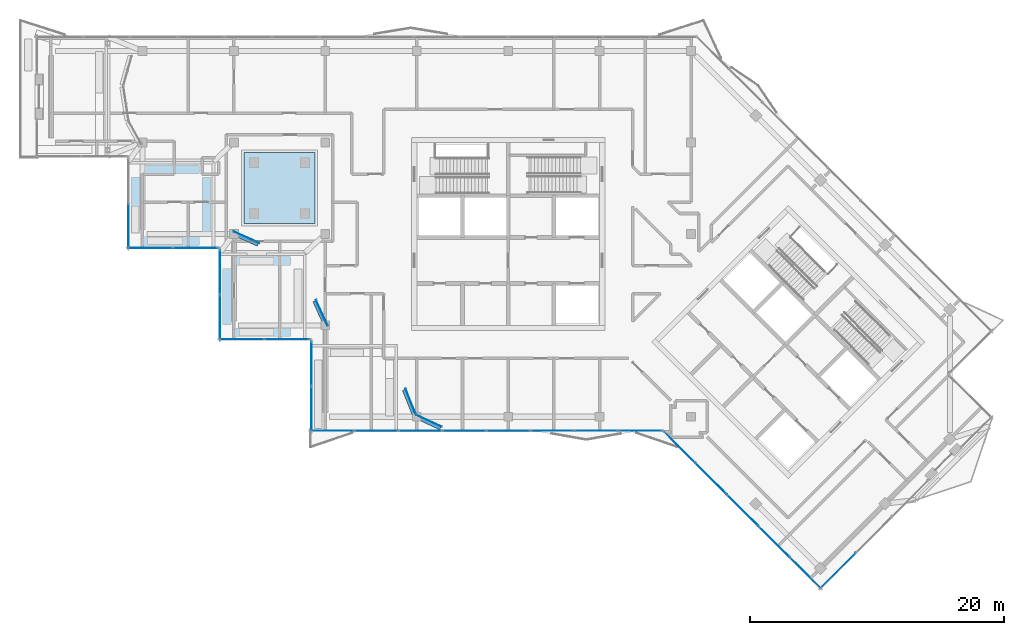
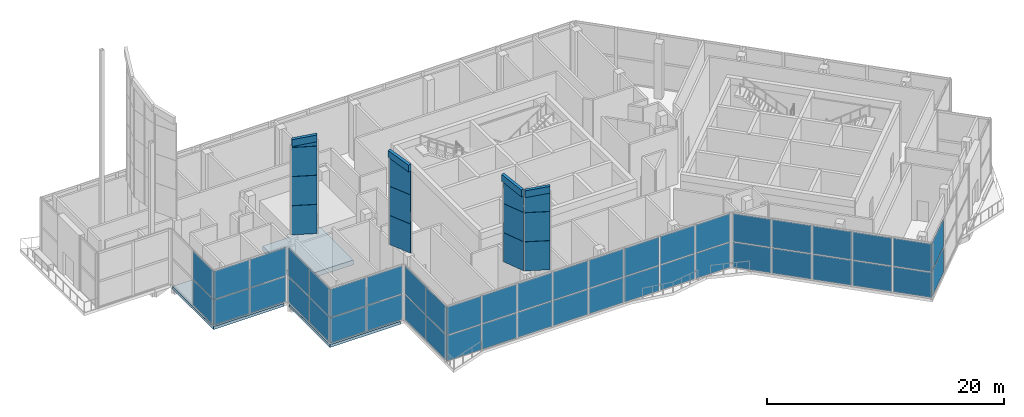
# One storey, part 9 of 19: 63 plates, 3 slabs, 12 elements without a shape of their own.
"""IFC4 building model written with IfcOpenShell, lengths in metres."""

from ifc_helpers import new_model, si_unit, direction, frame, origin, origin_2d, place, context, subcontext, project, spatial, polyline, rectangle, outline, extrude, material, layer, layer_set, type_object, element, aggregate, save


model = new_model("IFC4")

# Units and contexts
model_context = context("Model", 3, precision=1e-05, world=origin(), true_north=direction((0.0, 1.0)))
body_context = subcontext(model_context, "Body", "Model", "MODEL_VIEW")
ifc_project = project(units=[si_unit("LENGTHUNIT", "METRE"), si_unit("AREAUNIT", "SQUARE_METRE"), si_unit("VOLUMEUNIT", "CUBIC_METRE"), si_unit("PLANEANGLEUNIT", "RADIAN"), si_unit("MASSUNIT", "GRAM", prefix="KILO")], contexts=[model_context])

# Site, building, storey
site_placement = place(None, origin())
site = spatial("IfcSite", under=ifc_project, at=site_placement, CompositionType="ELEMENT")
building_placement = place(site_placement, origin())
building = spatial("IfcBuilding", under=site, at=building_placement, Name="Windrow Commons", CompositionType="ELEMENT")
storey_placement = place(building_placement, frame((0.0, 0.0, 284.6)))
storey = spatial("IfcBuildingStorey", under=building, at=storey_placement, Name="L78", CompositionType="ELEMENT", Elevation=284.6)

# Curtain wall, plates
ifc_material_1 = material(Name="Clear laminated glass in Aluminium 6063-T6 anodised frame", Category="aluminium")
curtain_wall_type_1 = type_object("IfcCurtainWallType", Name="Curtain wall CW3 damper floor", PredefinedType="USERDEFINED", material=ifc_material_1)
placement_1 = place(storey_placement, origin())
curtain_wall_1 = element("IfcCurtainWall", 1, at=placement_1, inside=storey, type_object=curtain_wall_type_1, Name="Curtain wall CW3 L78 1.1", ObjectType="STRUCTURAL SILICONE", PredefinedType="USERDEFINED")
ifc_material_2 = material(Name="Clear laminated glass", Category="glass")
ifc_layer_1 = layer(ifc_material_2, 0.036)
ifc_layer_set_1 = layer_set([ifc_layer_1], Name="CW3 panel glass 36")
plate_type_1 = type_object("IfcPlateType", Name="CW3 panel glass 36", PredefinedType="CURTAIN_PANEL", material=ifc_layer_set_1)
plate_1_placement = place(storey_placement, frame((90.7595, 31.0922, 0.08), z_axis=(0.0, 0.0, 1.0), x_axis=(0.7071093854, 0.707104177, 0.0)))
plate_1 = element("IfcPlate", 2, at=plate_1_placement, type_object=plate_type_1, Name="CW3 panel 1.1", PredefinedType="CURTAIN_PANEL", context=body_context, shape_type="SweptSolid", body=[
    extrude(rectangle(XDim=3.9353, YDim=0.036, at=origin_2d()), origin(), (0.0, 0.0, 1.0), 2.58),
])
plate_2_placement = place(storey_placement, frame((90.7595, 31.0922, 2.74), z_axis=(0.0, 0.0, 1.0), x_axis=(0.7071093854, 0.707104177, 0.0)))
plate_2 = element("IfcPlate", 3, at=plate_2_placement, type_object=plate_type_1, Name="CW3 panel 1.2", PredefinedType="CURTAIN_PANEL", context=body_context, shape_type="SweptSolid", body=[
    extrude(rectangle(XDim=3.9353, YDim=0.036, at=origin_2d()), origin(), (0.0, 0.0, 1.0), 2.88),
])
aggregate(curtain_wall_1, [plate_1, plate_2])

curtain_wall_2 = element("IfcCurtainWall", 4, at=placement_1, inside=storey, type_object=curtain_wall_type_1, Name="Curtain wall CW3 L78 8", ObjectType="STRUCTURAL SILICONE", PredefinedType="USERDEFINED")
plate_3_placement = place(storey_placement, frame((34.9, 58.22, 0.08), z_axis=(0.0, 0.0, 1.0), x_axis=(0.0, -1.0, 0.0)))
plate_3 = element("IfcPlate", 5, at=plate_3_placement, type_object=plate_type_1, Name="CW3 panel 2.1", PredefinedType="CURTAIN_PANEL", context=body_context, shape_type="SweptSolid", body=[
    extrude(rectangle(XDim=3.48, YDim=0.036, at=origin_2d()), origin(), (0.0, 0.0, 1.0), 2.58),
])
plate_4_placement = place(storey_placement, frame((34.9, 58.22, 2.74), z_axis=(0.0, 0.0, 1.0), x_axis=(0.0, -1.0, 0.0)))
plate_4 = element("IfcPlate", 6, at=plate_4_placement, type_object=plate_type_1, Name="CW3 panel 2.2", PredefinedType="CURTAIN_PANEL", context=body_context, shape_type="SweptSolid", body=[
    extrude(rectangle(XDim=3.48, YDim=0.036, at=origin_2d()), origin(), (0.0, 0.0, 1.0), 2.88),
])
aggregate(curtain_wall_2, [plate_3, plate_4])

curtain_wall_3 = element("IfcCurtainWall", 7, at=placement_1, inside=storey, type_object=curtain_wall_type_1, Name="Curtain wall CW3 L78 9", ObjectType="STRUCTURAL SILICONE", PredefinedType="USERDEFINED")
plate_5_placement = place(storey_placement, frame((36.62, 56.5, 0.08), z_axis=(0.0, 0.0, 1.0), x_axis=(1.0, 0.0, 0.0)))
plate_5 = element("IfcPlate", 8, at=plate_5_placement, type_object=plate_type_1, Name="CW3 panel 1.1", PredefinedType="CURTAIN_PANEL", context=body_context, shape_type="SweptSolid", body=[
    extrude(rectangle(XDim=3.48, YDim=0.036, at=origin_2d()), origin(), (0.0, 0.0, 1.0), 2.58),
])
plate_6_placement = place(storey_placement, frame((36.62, 56.5, 2.74), z_axis=(0.0, 0.0, 1.0), x_axis=(1.0, 0.0, 0.0)))
plate_6 = element("IfcPlate", 9, at=plate_6_placement, type_object=plate_type_1, Name="CW3 panel 1.2", PredefinedType="CURTAIN_PANEL", context=body_context, shape_type="SweptSolid", body=[
    extrude(rectangle(XDim=3.48, YDim=0.036, at=origin_2d()), origin(), (0.0, 0.0, 1.0), 2.88),
])
plate_7_placement = place(storey_placement, frame((40.18, 56.5, 0.08), z_axis=(0.0, 0.0, 1.0), x_axis=(1.0, 0.0, 0.0)))
plate_7 = element("IfcPlate", 10, at=plate_7_placement, type_object=plate_type_1, Name="CW3 panel 2.1", PredefinedType="CURTAIN_PANEL", context=body_context, shape_type="SweptSolid", body=[
    extrude(rectangle(XDim=3.48, YDim=0.036, at=origin_2d()), origin(), (0.0, 0.0, 1.0), 2.58),
])
plate_8_placement = place(storey_placement, frame((40.18, 56.5, 2.74), z_axis=(0.0, 0.0, 1.0), x_axis=(1.0, 0.0, 0.0)))
plate_8 = element("IfcPlate", 11, at=plate_8_placement, type_object=plate_type_1, Name="CW3 panel 2.2", PredefinedType="CURTAIN_PANEL", context=body_context, shape_type="SweptSolid", body=[
    extrude(rectangle(XDim=3.48, YDim=0.036, at=origin_2d()), origin(), (0.0, 0.0, 1.0), 2.88),
])
aggregate(curtain_wall_3, [plate_5, plate_6, plate_7, plate_8])

curtain_wall_4 = element("IfcCurtainWall", 12, at=placement_1, inside=storey, type_object=curtain_wall_type_1, Name="Curtain wall CW3 L78 10", ObjectType="STRUCTURAL SILICONE", PredefinedType="USERDEFINED")
plate_9_placement = place(storey_placement, frame((42.1, 54.58, 0.08), z_axis=(0.0, 0.0, 1.0), x_axis=(0.0, -1.0, 0.0)))
plate_9 = element("IfcPlate", 13, at=plate_9_placement, type_object=plate_type_1, Name="CW3 panel 1.1", PredefinedType="CURTAIN_PANEL", context=body_context, shape_type="SweptSolid", body=[
    extrude(rectangle(XDim=3.48, YDim=0.036, at=origin_2d()), origin(), (0.0, 0.0, 1.0), 2.58),
])
plate_10_placement = place(storey_placement, frame((42.1, 54.58, 2.74), z_axis=(0.0, 0.0, 1.0), x_axis=(0.0, -1.0, 0.0)))
plate_10 = element("IfcPlate", 14, at=plate_10_placement, type_object=plate_type_1, Name="CW3 panel 1.2", PredefinedType="CURTAIN_PANEL", context=body_context, shape_type="SweptSolid", body=[
    extrude(rectangle(XDim=3.48, YDim=0.036, at=origin_2d()), origin(), (0.0, 0.0, 1.0), 2.88),
])
plate_11_placement = place(storey_placement, frame((42.1, 51.02, 0.08), z_axis=(0.0, 0.0, 1.0), x_axis=(0.0, -1.0, 0.0)))
plate_11 = element("IfcPlate", 15, at=plate_11_placement, type_object=plate_type_1, Name="CW3 panel 2.1", PredefinedType="CURTAIN_PANEL", context=body_context, shape_type="SweptSolid", body=[
    extrude(rectangle(XDim=3.48, YDim=0.036, at=origin_2d()), origin(), (0.0, 0.0, 1.0), 2.58),
])
plate_12_placement = place(storey_placement, frame((42.1, 51.02, 2.74), z_axis=(0.0, 0.0, 1.0), x_axis=(0.0, -1.0, 0.0)))
plate_12 = element("IfcPlate", 16, at=plate_12_placement, type_object=plate_type_1, Name="CW3 panel 2.2", PredefinedType="CURTAIN_PANEL", context=body_context, shape_type="SweptSolid", body=[
    extrude(rectangle(XDim=3.48, YDim=0.036, at=origin_2d()), origin(), (0.0, 0.0, 1.0), 2.88),
])
aggregate(curtain_wall_4, [plate_9, plate_10, plate_11, plate_12])

curtain_wall_5 = element("IfcCurtainWall", 17, at=placement_1, inside=storey, type_object=curtain_wall_type_1, Name="Curtain wall CW3 L78 11", ObjectType="STRUCTURAL SILICONE", PredefinedType="USERDEFINED")
plate_13_placement = place(storey_placement, frame((43.82, 49.3, 0.08), z_axis=(0.0, 0.0, 1.0), x_axis=(1.0, 0.0, 0.0)))
plate_13 = element("IfcPlate", 18, at=plate_13_placement, type_object=plate_type_1, Name="CW3 panel 1.1", PredefinedType="CURTAIN_PANEL", context=body_context, shape_type="SweptSolid", body=[
    extrude(rectangle(XDim=3.48, YDim=0.036, at=origin_2d()), origin(), (0.0, 0.0, 1.0), 2.58),
])
plate_14_placement = place(storey_placement, frame((43.82, 49.3, 2.74), z_axis=(0.0, 0.0, 1.0), x_axis=(1.0, 0.0, 0.0)))
plate_14 = element("IfcPlate", 19, at=plate_14_placement, type_object=plate_type_1, Name="CW3 panel 1.2", PredefinedType="CURTAIN_PANEL", context=body_context, shape_type="SweptSolid", body=[
    extrude(rectangle(XDim=3.48, YDim=0.036, at=origin_2d()), origin(), (0.0, 0.0, 1.0), 2.88),
])
plate_15_placement = place(storey_placement, frame((47.38, 49.3, 0.08), z_axis=(0.0, 0.0, 1.0), x_axis=(1.0, 0.0, 0.0)))
plate_15 = element("IfcPlate", 20, at=plate_15_placement, type_object=plate_type_1, Name="CW3 panel 2.1", PredefinedType="CURTAIN_PANEL", context=body_context, shape_type="SweptSolid", body=[
    extrude(rectangle(XDim=3.48, YDim=0.036, at=origin_2d()), origin(), (0.0, 0.0, 1.0), 2.58),
])
plate_16_placement = place(storey_placement, frame((47.38, 49.3, 2.74), z_axis=(0.0, 0.0, 1.0), x_axis=(1.0, 0.0, 0.0)))
plate_16 = element("IfcPlate", 21, at=plate_16_placement, type_object=plate_type_1, Name="CW3 panel 2.2", PredefinedType="CURTAIN_PANEL", context=body_context, shape_type="SweptSolid", body=[
    extrude(rectangle(XDim=3.48, YDim=0.036, at=origin_2d()), origin(), (0.0, 0.0, 1.0), 2.88),
])
aggregate(curtain_wall_5, [plate_13, plate_14, plate_15, plate_16])

curtain_wall_6 = element("IfcCurtainWall", 22, at=placement_1, inside=storey, type_object=curtain_wall_type_1, Name="Curtain wall CW3 L78 12", ObjectType="STRUCTURAL SILICONE", PredefinedType="USERDEFINED")
plate_17_placement = place(storey_placement, frame((49.3, 47.38, 0.08), z_axis=(0.0, 0.0, 1.0), x_axis=(0.0, -1.0, 0.0)))
plate_17 = element("IfcPlate", 23, at=plate_17_placement, type_object=plate_type_1, Name="CW3 panel 1.1", PredefinedType="CURTAIN_PANEL", context=body_context, shape_type="SweptSolid", body=[
    extrude(rectangle(XDim=3.48, YDim=0.036, at=origin_2d()), origin(), (0.0, 0.0, 1.0), 2.58),
])
plate_18_placement = place(storey_placement, frame((49.3, 47.38, 2.74), z_axis=(0.0, 0.0, 1.0), x_axis=(0.0, -1.0, 0.0)))
plate_18 = element("IfcPlate", 24, at=plate_18_placement, type_object=plate_type_1, Name="CW3 panel 1.2", PredefinedType="CURTAIN_PANEL", context=body_context, shape_type="SweptSolid", body=[
    extrude(rectangle(XDim=3.48, YDim=0.036, at=origin_2d()), origin(), (0.0, 0.0, 1.0), 2.88),
])
plate_19_placement = place(storey_placement, frame((49.3, 43.82, 0.08), z_axis=(0.0, 0.0, 1.0), x_axis=(0.0, -1.0, 0.0)))
plate_19 = element("IfcPlate", 25, at=plate_19_placement, type_object=plate_type_1, Name="CW3 panel 2.1", PredefinedType="CURTAIN_PANEL", context=body_context, shape_type="SweptSolid", body=[
    extrude(rectangle(XDim=3.48, YDim=0.036, at=origin_2d()), origin(), (0.0, 0.0, 1.0), 2.58),
])
plate_20_placement = place(storey_placement, frame((49.3, 43.82, 2.74), z_axis=(0.0, 0.0, 1.0), x_axis=(0.0, -1.0, 0.0)))
plate_20 = element("IfcPlate", 26, at=plate_20_placement, type_object=plate_type_1, Name="CW3 panel 2.2", PredefinedType="CURTAIN_PANEL", context=body_context, shape_type="SweptSolid", body=[
    extrude(rectangle(XDim=3.48, YDim=0.036, at=origin_2d()), origin(), (0.0, 0.0, 1.0), 2.88),
])
aggregate(curtain_wall_6, [plate_17, plate_18, plate_19, plate_20])

curtain_wall_7 = element("IfcCurtainWall", 27, at=placement_1, inside=storey, type_object=curtain_wall_type_1, Name="Curtain wall CW3 L78 13", ObjectType="STRUCTURAL SILICONE", PredefinedType="USERDEFINED")
plate_21_placement = place(storey_placement, frame((50.9547, 42.1, 0.08), z_axis=(0.0, 0.0, 1.0), x_axis=(1.0, 0.0, 0.0)))
plate_21 = element("IfcPlate", 28, at=plate_21_placement, type_object=plate_type_1, Name="CW3 panel 1.1", PredefinedType="CURTAIN_PANEL", context=body_context, shape_type="SweptSolid", body=[
    extrude(rectangle(XDim=3.3495, YDim=0.036, at=origin_2d()), origin(), (0.0, 0.0, 1.0), 2.58),
])
plate_22_placement = place(storey_placement, frame((50.9547, 42.1, 2.74), z_axis=(0.0, 0.0, 1.0), x_axis=(1.0, 0.0, 0.0)))
plate_22 = element("IfcPlate", 29, at=plate_22_placement, type_object=plate_type_1, Name="CW3 panel 1.2", PredefinedType="CURTAIN_PANEL", context=body_context, shape_type="SweptSolid", body=[
    extrude(rectangle(XDim=3.3495, YDim=0.036, at=origin_2d()), origin(), (0.0, 0.0, 1.0), 2.88),
])
plate_23_placement = place(storey_placement, frame((54.4042, 42.1, 0.08), z_axis=(0.0, 0.0, 1.0), x_axis=(1.0, 0.0, 0.0)))
plate_23 = element("IfcPlate", 30, at=plate_23_placement, type_object=plate_type_1, Name="CW3 panel 2.1", PredefinedType="CURTAIN_PANEL", context=body_context, shape_type="SweptSolid", body=[
    extrude(rectangle(XDim=3.3895, YDim=0.036, at=origin_2d()), origin(), (0.0, 0.0, 1.0), 2.58),
])
plate_24_placement = place(storey_placement, frame((54.4042, 42.1, 2.74), z_axis=(0.0, 0.0, 1.0), x_axis=(1.0, 0.0, 0.0)))
plate_24 = element("IfcPlate", 31, at=plate_24_placement, type_object=plate_type_1, Name="CW3 panel 2.2", PredefinedType="CURTAIN_PANEL", context=body_context, shape_type="SweptSolid", body=[
    extrude(rectangle(XDim=3.3895, YDim=0.036, at=origin_2d()), origin(), (0.0, 0.0, 1.0), 2.88),
])
plate_25_placement = place(storey_placement, frame((57.8737, 42.1, 0.08), z_axis=(0.0, 0.0, 1.0), x_axis=(1.0, 0.0, 0.0)))
plate_25 = element("IfcPlate", 32, at=plate_25_placement, type_object=plate_type_1, Name="CW3 panel 3.1", PredefinedType="CURTAIN_PANEL", context=body_context, shape_type="SweptSolid", body=[
    extrude(rectangle(XDim=3.3895, YDim=0.036, at=origin_2d()), origin(), (0.0, 0.0, 1.0), 2.58),
])
plate_26_placement = place(storey_placement, frame((57.8737, 42.1, 2.74), z_axis=(0.0, 0.0, 1.0), x_axis=(1.0, 0.0, 0.0)))
plate_26 = element("IfcPlate", 33, at=plate_26_placement, type_object=plate_type_1, Name="CW3 panel 3.2", PredefinedType="CURTAIN_PANEL", context=body_context, shape_type="SweptSolid", body=[
    extrude(rectangle(XDim=3.3895, YDim=0.036, at=origin_2d()), origin(), (0.0, 0.0, 1.0), 2.88),
])
plate_27_placement = place(storey_placement, frame((61.3432, 42.1, 0.08), z_axis=(0.0, 0.0, 1.0), x_axis=(1.0, 0.0, 0.0)))
plate_27 = element("IfcPlate", 34, at=plate_27_placement, type_object=plate_type_1, Name="CW3 panel 4.1", PredefinedType="CURTAIN_PANEL", context=body_context, shape_type="SweptSolid", body=[
    extrude(rectangle(XDim=3.3895, YDim=0.036, at=origin_2d()), origin(), (0.0, 0.0, 1.0), 2.58),
])
plate_28_placement = place(storey_placement, frame((61.3432, 42.1, 2.74), z_axis=(0.0, 0.0, 1.0), x_axis=(1.0, 0.0, 0.0)))
plate_28 = element("IfcPlate", 35, at=plate_28_placement, type_object=plate_type_1, Name="CW3 panel 4.2", PredefinedType="CURTAIN_PANEL", context=body_context, shape_type="SweptSolid", body=[
    extrude(rectangle(XDim=3.3895, YDim=0.036, at=origin_2d()), origin(), (0.0, 0.0, 1.0), 2.88),
])
plate_29_placement = place(storey_placement, frame((64.8127, 42.1, 0.08), z_axis=(0.0, 0.0, 1.0), x_axis=(1.0, 0.0, 0.0)))
plate_29 = element("IfcPlate", 36, at=plate_29_placement, type_object=plate_type_1, Name="CW3 panel 5.1", PredefinedType="CURTAIN_PANEL", context=body_context, shape_type="SweptSolid", body=[
    extrude(rectangle(XDim=3.3895, YDim=0.036, at=origin_2d()), origin(), (0.0, 0.0, 1.0), 2.58),
])
plate_30_placement = place(storey_placement, frame((64.8127, 42.1, 2.74), z_axis=(0.0, 0.0, 1.0), x_axis=(1.0, 0.0, 0.0)))
plate_30 = element("IfcPlate", 37, at=plate_30_placement, type_object=plate_type_1, Name="CW3 panel 5.2", PredefinedType="CURTAIN_PANEL", context=body_context, shape_type="SweptSolid", body=[
    extrude(rectangle(XDim=3.3895, YDim=0.036, at=origin_2d()), origin(), (0.0, 0.0, 1.0), 2.88),
])
plate_31_placement = place(storey_placement, frame((68.2822, 42.1, 0.08), z_axis=(0.0, 0.0, 1.0), x_axis=(1.0, 0.0, 0.0)))
plate_31 = element("IfcPlate", 38, at=plate_31_placement, type_object=plate_type_1, Name="CW3 panel 6.1", PredefinedType="CURTAIN_PANEL", context=body_context, shape_type="SweptSolid", body=[
    extrude(rectangle(XDim=3.3895, YDim=0.036, at=origin_2d()), origin(), (0.0, 0.0, 1.0), 2.58),
])
plate_32_placement = place(storey_placement, frame((68.2822, 42.1, 2.74), z_axis=(0.0, 0.0, 1.0), x_axis=(1.0, 0.0, 0.0)))
plate_32 = element("IfcPlate", 39, at=plate_32_placement, type_object=plate_type_1, Name="CW3 panel 6.2", PredefinedType="CURTAIN_PANEL", context=body_context, shape_type="SweptSolid", body=[
    extrude(rectangle(XDim=3.3895, YDim=0.036, at=origin_2d()), origin(), (0.0, 0.0, 1.0), 2.88),
])
plate_33_placement = place(storey_placement, frame((71.7517, 42.1, 0.08), z_axis=(0.0, 0.0, 1.0), x_axis=(1.0, 0.0, 0.0)))
plate_33 = element("IfcPlate", 40, at=plate_33_placement, type_object=plate_type_1, Name="CW3 panel 7.1", PredefinedType="CURTAIN_PANEL", context=body_context, shape_type="SweptSolid", body=[
    extrude(rectangle(XDim=3.3895, YDim=0.036, at=origin_2d()), origin(), (0.0, 0.0, 1.0), 2.58),
])
plate_34_placement = place(storey_placement, frame((71.7517, 42.1, 2.74), z_axis=(0.0, 0.0, 1.0), x_axis=(1.0, 0.0, 0.0)))
plate_34 = element("IfcPlate", 41, at=plate_34_placement, type_object=plate_type_1, Name="CW3 panel 7.2", PredefinedType="CURTAIN_PANEL", context=body_context, shape_type="SweptSolid", body=[
    extrude(rectangle(XDim=3.3895, YDim=0.036, at=origin_2d()), origin(), (0.0, 0.0, 1.0), 2.88),
])
plate_35_placement = place(storey_placement, frame((75.2012, 42.1, 0.08), z_axis=(0.0, 0.0, 1.0), x_axis=(1.0, 0.0, 0.0)))
plate_35 = element("IfcPlate", 42, at=plate_35_placement, type_object=plate_type_1, Name="CW3 panel 8.1", PredefinedType="CURTAIN_PANEL", context=body_context, shape_type="SweptSolid", body=[
    extrude(rectangle(XDim=3.3495, YDim=0.036, at=origin_2d()), origin(), (0.0, 0.0, 1.0), 2.58),
])
plate_36_placement = place(storey_placement, frame((75.2012, 42.1, 2.74), z_axis=(0.0, 0.0, 1.0), x_axis=(1.0, 0.0, 0.0)))
plate_36 = element("IfcPlate", 43, at=plate_36_placement, type_object=plate_type_1, Name="CW3 panel 8.2", PredefinedType="CURTAIN_PANEL", context=body_context, shape_type="SweptSolid", body=[
    extrude(rectangle(XDim=3.3495, YDim=0.036, at=origin_2d()), origin(), (0.0, 0.0, 1.0), 2.88),
])
aggregate(curtain_wall_7, [plate_21, plate_22, plate_23, plate_24, plate_25, plate_26, plate_27, plate_28, plate_29, plate_30, plate_31, plate_32, plate_33, plate_34, plate_35, plate_36])

curtain_wall_8 = element("IfcCurtainWall", 44, at=placement_1, inside=storey, type_object=curtain_wall_type_1, Name="Curtain wall CW3 L78 14", ObjectType="STRUCTURAL SILICONE", PredefinedType="USERDEFINED")
plate_37_placement = place(storey_placement, frame((78.2834, 40.8139, 0.08), z_axis=(0.0, 0.0, 1.0), x_axis=(0.7071067812, -0.7071067812, 0.0)))
plate_37 = element("IfcPlate", 45, at=plate_37_placement, type_object=plate_type_1, Name="CW3 panel 1.1", PredefinedType="CURTAIN_PANEL", context=body_context, shape_type="SweptSolid", body=[
    extrude(rectangle(XDim=3.3947, YDim=0.036, at=origin_2d()), origin(), (0.0, 0.0, 1.0), 2.58),
])
plate_38_placement = place(storey_placement, frame((78.2834, 40.8139, 2.74), z_axis=(0.0, 0.0, 1.0), x_axis=(0.7071067812, -0.7071067812, 0.0)))
plate_38 = element("IfcPlate", 46, at=plate_38_placement, type_object=plate_type_1, Name="CW3 panel 1.2", PredefinedType="CURTAIN_PANEL", context=body_context, shape_type="SweptSolid", body=[
    extrude(rectangle(XDim=3.3947, YDim=0.036, at=origin_2d()), origin(), (0.0, 0.0, 1.0), 2.88),
])
plate_39_placement = place(storey_placement, frame((80.7545, 38.3428, 0.08), z_axis=(0.0, 0.0, 1.0), x_axis=(0.7071067812, -0.7071067812, 0.0)))
plate_39 = element("IfcPlate", 47, at=plate_39_placement, type_object=plate_type_1, Name="CW3 panel 2.1", PredefinedType="CURTAIN_PANEL", context=body_context, shape_type="SweptSolid", body=[
    extrude(rectangle(XDim=3.4347, YDim=0.036, at=origin_2d()), origin(), (0.0, 0.0, 1.0), 2.58),
])
plate_40_placement = place(storey_placement, frame((80.7545, 38.3428, 2.74), z_axis=(0.0, 0.0, 1.0), x_axis=(0.7071067812, -0.7071067812, 0.0)))
plate_40 = element("IfcPlate", 48, at=plate_40_placement, type_object=plate_type_1, Name="CW3 panel 2.2", PredefinedType="CURTAIN_PANEL", context=body_context, shape_type="SweptSolid", body=[
    extrude(rectangle(XDim=3.4347, YDim=0.036, at=origin_2d()), origin(), (0.0, 0.0, 1.0), 2.88),
])
plate_41_placement = place(storey_placement, frame((83.2398, 35.8575, 0.08), z_axis=(0.0, 0.0, 1.0), x_axis=(0.7071067812, -0.7071067812, 0.0)))
plate_41 = element("IfcPlate", 49, at=plate_41_placement, type_object=plate_type_1, Name="CW3 panel 3.1", PredefinedType="CURTAIN_PANEL", context=body_context, shape_type="SweptSolid", body=[
    extrude(rectangle(XDim=3.4347, YDim=0.036, at=origin_2d()), origin(), (0.0, 0.0, 1.0), 2.58),
])
plate_42_placement = place(storey_placement, frame((83.2398, 35.8575, 2.74), z_axis=(0.0, 0.0, 1.0), x_axis=(0.7071067812, -0.7071067812, 0.0)))
plate_42 = element("IfcPlate", 50, at=plate_42_placement, type_object=plate_type_1, Name="CW3 panel 3.2", PredefinedType="CURTAIN_PANEL", context=body_context, shape_type="SweptSolid", body=[
    extrude(rectangle(XDim=3.4347, YDim=0.036, at=origin_2d()), origin(), (0.0, 0.0, 1.0), 2.88),
])
plate_43_placement = place(storey_placement, frame((85.7251, 33.3722, 0.08), z_axis=(0.0, 0.0, 1.0), x_axis=(0.7071067812, -0.7071067812, 0.0)))
plate_43 = element("IfcPlate", 51, at=plate_43_placement, type_object=plate_type_1, Name="CW3 panel 4.1", PredefinedType="CURTAIN_PANEL", context=body_context, shape_type="SweptSolid", body=[
    extrude(rectangle(XDim=3.4347, YDim=0.036, at=origin_2d()), origin(), (0.0, 0.0, 1.0), 2.58),
])
plate_44_placement = place(storey_placement, frame((85.7251, 33.3722, 2.74), z_axis=(0.0, 0.0, 1.0), x_axis=(0.7071067812, -0.7071067812, 0.0)))
plate_44 = element("IfcPlate", 52, at=plate_44_placement, type_object=plate_type_1, Name="CW3 panel 4.2", PredefinedType="CURTAIN_PANEL", context=body_context, shape_type="SweptSolid", body=[
    extrude(rectangle(XDim=3.4347, YDim=0.036, at=origin_2d()), origin(), (0.0, 0.0, 1.0), 2.88),
])
plate_45_placement = place(storey_placement, frame((88.1962, 30.9011, 0.08), z_axis=(0.0, 0.0, 1.0), x_axis=(0.7071067812, -0.7071067812, 0.0)))
plate_45 = element("IfcPlate", 53, at=plate_45_placement, type_object=plate_type_1, Name="CW3 panel 5.1", PredefinedType="CURTAIN_PANEL", context=body_context, shape_type="SweptSolid", body=[
    extrude(rectangle(XDim=3.3947, YDim=0.036, at=origin_2d()), origin(), (0.0, 0.0, 1.0), 2.58),
])
plate_46_placement = place(storey_placement, frame((88.1962, 30.9011, 2.74), z_axis=(0.0, 0.0, 1.0), x_axis=(0.7071067812, -0.7071067812, 0.0)))
plate_46 = element("IfcPlate", 54, at=plate_46_placement, type_object=plate_type_1, Name="CW3 panel 5.2", PredefinedType="CURTAIN_PANEL", context=body_context, shape_type="SweptSolid", body=[
    extrude(rectangle(XDim=3.3947, YDim=0.036, at=origin_2d()), origin(), (0.0, 0.0, 1.0), 2.88),
])
aggregate(curtain_wall_8, [plate_37, plate_38, plate_39, plate_40, plate_41, plate_42, plate_43, plate_44, plate_45, plate_46])

# Plates
ifc_material_3 = material(Name="Precast concrete C40/50", Category="concrete")
ifc_layer_2 = layer(ifc_material_3, 0.3)
ifc_layer_set_2 = layer_set([ifc_layer_2], Name="Crown eave fascia 300")
plate_type_2 = type_object("IfcPlateType", Name="Crown eave fascia 300", PredefinedType="SHEET", material=ifc_layer_set_2)
plate_47_placement = place(storey_placement, frame((59.5227, 42.4489, 13.7835), z_axis=(0.421001962, 0.9070597268, 0.0), x_axis=(-0.8955982099, 0.4156822229, -0.1584680915)))
element("IfcPlate", 55, at=plate_47_placement, inside=storey, type_object=plate_type_2, Name="Crown eave fascia", PredefinedType="SHEET", context=body_context, shape_type="SweptSolid", body=[
    extrude(outline(polyline([(0.0, 0.0), (2.15, 0.0), (2.039, 0.6912), (-0.1109, 0.6912), (0.0, 0.0)])), origin(), (0.0, 0.0, -1.0), 0.3),
])
plate_48_placement = place(storey_placement, frame((57.5334, 43.4101, 13.4515), z_axis=(0.929128282, 0.3697575362, 0.0), x_axis=(-0.350757053, 0.8813837885, 0.3164365769)))
element("IfcPlate", 56, at=plate_48_placement, inside=storey, type_object=plate_type_2, Name="Crown eave fascia", PredefinedType="SHEET", context=body_context, shape_type="SweptSolid", body=[
    extrude(outline(polyline([(0.0, 0.0), (2.2377, 0.0), (2.4592, 0.664), (0.2215, 0.664), (0.0, 0.0)])), origin(), (0.0, 0.0, -1.0), 0.3),
])
plate_49_placement = place(storey_placement, frame((50.5798, 50.4134, 14.2102), z_axis=(0.9119031771, 0.4104054041, 0.0), x_axis=(-0.3922921051, 0.8716562048, 0.2938066794)))
element("IfcPlate", 57, at=plate_49_placement, inside=storey, type_object=plate_type_2, Name="Crown eave fascia", PredefinedType="SHEET", context=body_context, shape_type="SweptSolid", body=[
    extrude(outline(polyline([(0.0, 0.0), (2.243, 0.0), (2.4486, 0.6691), (0.2057, 0.6691), (0.0, 0.0)])), origin(), (0.0, 0.0, -1.0), 0.3),
])
plate_50_placement = place(storey_placement, frame((45.1685, 56.8999, 15.3465), z_axis=(0.4104054041, 0.9119031771, 0.0), x_axis=(-0.8992860363, 0.4047270131, -0.1657729464)))
element("IfcPlate", 58, at=plate_50_placement, inside=storey, type_object=plate_type_2, Name="Crown eave fascia", PredefinedType="SHEET", context=body_context, shape_type="SweptSolid", body=[
    extrude(outline(polyline([(0.0, 0.0), (2.1741, 0.0), (2.058, 0.6903), (-0.116, 0.6903), (0.0, 0.0)])), origin(), (0.0, 0.0, -1.0), 0.3),
])

# Curtain wall, plates
ifc_material_4 = material(Name="Laminated glass in anodised aluminium frame", Category="aluminium")
curtain_wall_type_2 = type_object("IfcCurtainWallType", Name="Curtain wall crown terrace screen", PredefinedType="USERDEFINED", material=ifc_material_4)
curtain_wall_9 = element("IfcCurtainWall", 59, at=placement_1, inside=storey, type_object=curtain_wall_type_2, Name="Glazed crown screen L78", ObjectType="STICK", PredefinedType="USERDEFINED")
ifc_material_5 = material(Name="Laminated glass in aluminium frame", Category="aluminium")
ifc_layer_3 = layer(ifc_material_5, 0.03)
ifc_layer_set_3 = layer_set([ifc_layer_3], Name="Crown screen glazing 2400")
plate_type_3 = type_object("IfcPlateType", Name="Crown screen glazing 2400", PredefinedType="SHEET", material=ifc_layer_set_3)
plate_51_placement = place(storey_placement, frame((59.5409, 42.4405, 5.7), z_axis=(0.420983606, 0.9070682463, 0.0), x_axis=(-0.9070682463, 0.420983606, 0.0)))
plate_51 = element("IfcPlate", 60, at=plate_51_placement, type_object=plate_type_3, Name="Crown screen glazing L78", PredefinedType="SHEET", context=body_context, shape_type="SweptSolid", body=[
    extrude(outline(polyline([(0.0, 0.0), (2.1628, 0.0), (2.1628, 3.0), (0.0, 3.0), (0.0, 0.0)])), origin(), (0.0, 0.0, -1.0), 0.03),
])
plate_52_placement = place(storey_placement, frame((59.5409, 42.4405, 8.72), z_axis=(0.420983606, 0.9070682463, 0.0), x_axis=(-0.9070682463, 0.420983606, 0.0)))
plate_52 = element("IfcPlate", 61, at=plate_52_placement, type_object=plate_type_3, Name="Crown screen glazing L78", PredefinedType="SHEET", context=body_context, shape_type="SweptSolid", body=[
    extrude(outline(polyline([(0.0, 0.0), (2.1628, 0.0), (2.1628, 2.98), (0.0, 2.98), (0.0, 0.0)])), origin(), (0.0, 0.0, -1.0), 0.03),
])
plate_53_placement = place(storey_placement, frame((59.5409, 42.4405, 11.72), z_axis=(0.420983606, 0.9070682463, 0.0), x_axis=(-0.9070682463, 0.420983606, 0.0)))
plate_53 = element("IfcPlate", 62, at=plate_53_placement, type_object=plate_type_3, Name="Crown screen glazing L78", PredefinedType="SHEET", context=body_context, shape_type="SweptSolid", body=[
    extrude(outline(polyline([(0.0, 0.0), (2.1628, 0.0), (2.1628, 1.6948), (0.0, 2.0515), (0.0, 0.0)])), origin(), (0.0, 0.0, -1.0), 0.03),
])
aggregate(curtain_wall_9, [plate_51, plate_52, plate_53])

curtain_wall_10 = element("IfcCurtainWall", 63, at=placement_1, inside=storey, type_object=curtain_wall_type_2, Name="Glazed crown screen L78", ObjectType="STICK", PredefinedType="USERDEFINED")
plate_54_placement = place(storey_placement, frame((57.5408, 43.3915, 5.7), z_axis=(0.9291289457, 0.3697558685, 0.0), x_axis=(-0.3697558685, 0.9291289457, 0.0)))
plate_54 = element("IfcPlate", 64, at=plate_54_placement, type_object=plate_type_3, Name="Crown screen glazing L78", PredefinedType="SHEET", context=body_context, shape_type="SweptSolid", body=[
    extrude(outline(polyline([(0.0, 0.0), (2.1628, 0.0), (2.1628, 3.0), (0.0, 3.0), (0.0, 0.0)])), origin(), (0.0, 0.0, -1.0), 0.03),
])
plate_55_placement = place(storey_placement, frame((57.5408, 43.3915, 8.72), z_axis=(0.9291289457, 0.3697558685, 0.0), x_axis=(-0.3697558685, 0.9291289457, 0.0)))
plate_55 = element("IfcPlate", 65, at=plate_55_placement, type_object=plate_type_3, Name="Crown screen glazing L78", PredefinedType="SHEET", context=body_context, shape_type="SweptSolid", body=[
    extrude(outline(polyline([(0.0, 0.0), (2.1628, 0.0), (2.1628, 2.98), (0.0, 2.98), (0.0, 0.0)])), origin(), (0.0, 0.0, -1.0), 0.03),
])
plate_56_placement = place(storey_placement, frame((57.5408, 43.3915, 11.72), z_axis=(0.9291289457, 0.3697558685, 0.0), x_axis=(-0.3697558685, 0.9291289457, 0.0)))
plate_56 = element("IfcPlate", 66, at=plate_56_placement, type_object=plate_type_3, Name="Crown screen glazing L78", PredefinedType="SHEET", context=body_context, shape_type="SweptSolid", body=[
    extrude(outline(polyline([(0.0, 0.0), (2.1628, 0.0), (2.1628, 2.4363), (0.0, 1.6948), (0.0, 0.0)])), origin(), (0.0, 0.0, -1.0), 0.03),
])
aggregate(curtain_wall_10, [plate_54, plate_55, plate_56])

curtain_wall_11 = element("IfcCurtainWall", 67, at=placement_1, inside=storey, type_object=curtain_wall_type_2, Name="Glazed crown screen L78", ObjectType="STICK", PredefinedType="USERDEFINED")
plate_57_placement = place(storey_placement, frame((50.588, 50.3952, 5.7), z_axis=(0.9119000847, 0.4104122751, 0.0), x_axis=(-0.4104122751, 0.9119000847, 0.0)))
plate_57 = element("IfcPlate", 68, at=plate_57_placement, type_object=plate_type_3, Name="Crown screen glazing L78", PredefinedType="SHEET", context=body_context, shape_type="SweptSolid", body=[
    extrude(outline(polyline([(0.0, 0.0), (2.1839, 0.0), (2.1839, 3.0), (0.0, 3.0), (0.0, 0.0)])), origin(), (0.0, 0.0, -1.0), 0.03),
])
plate_58_placement = place(storey_placement, frame((50.588, 50.3952, 8.72), z_axis=(0.9119000847, 0.4104122751, 0.0), x_axis=(-0.4104122751, 0.9119000847, 0.0)))
plate_58 = element("IfcPlate", 69, at=plate_58_placement, type_object=plate_type_3, Name="Crown screen glazing L78", PredefinedType="SHEET", context=body_context, shape_type="SweptSolid", body=[
    extrude(outline(polyline([(0.0, 0.0), (2.1839, 0.0), (2.1839, 2.98), (0.0, 2.98), (0.0, 0.0)])), origin(), (0.0, 0.0, -1.0), 0.03),
])
plate_59_placement = place(storey_placement, frame((50.588, 50.3952, 11.72), z_axis=(0.9119000847, 0.4104122751, 0.0), x_axis=(-0.4104122751, 0.9119000847, 0.0)))
plate_59 = element("IfcPlate", 70, at=plate_59_placement, type_object=plate_type_3, Name="Crown screen glazing L78", PredefinedType="SHEET", context=body_context, shape_type="SweptSolid", body=[
    extrude(outline(polyline([(0.0, 0.0), (2.1839, 0.0), (2.1839, 2.98), (0.0, 2.4548), (0.0, 0.0)])), origin(), (0.0, 0.0, -1.0), 0.03),
])
aggregate(curtain_wall_11, [plate_57, plate_58, plate_59])

curtain_wall_12 = element("IfcCurtainWall", 71, at=placement_1, inside=storey, type_object=curtain_wall_type_2, Name="Glazed crown screen L78", ObjectType="STICK", PredefinedType="USERDEFINED")
plate_60_placement = place(storey_placement, frame((45.1867, 56.8917, 5.7), z_axis=(0.4104122751, 0.9119000847, 0.0), x_axis=(-0.9119000847, 0.4104122751, 0.0)))
plate_60 = element("IfcPlate", 72, at=plate_60_placement, type_object=plate_type_3, Name="Crown screen glazing L78", PredefinedType="SHEET", context=body_context, shape_type="SweptSolid", body=[
    extrude(outline(polyline([(0.0, 0.0), (2.1839, 0.0), (2.1839, 3.0), (0.0, 3.0), (0.0, 0.0)])), origin(), (0.0, 0.0, -1.0), 0.03),
])
plate_61_placement = place(storey_placement, frame((45.1867, 56.8917, 8.72), z_axis=(0.4104122751, 0.9119000847, 0.0), x_axis=(-0.9119000847, 0.4104122751, 0.0)))
plate_61 = element("IfcPlate", 73, at=plate_61_placement, type_object=plate_type_3, Name="Crown screen glazing L78", PredefinedType="SHEET", context=body_context, shape_type="SweptSolid", body=[
    extrude(outline(polyline([(0.0, 0.0), (2.1839, 0.0), (2.1839, 2.98), (0.0, 2.98), (0.0, 0.0)])), origin(), (0.0, 0.0, -1.0), 0.03),
])
plate_62_placement = place(storey_placement, frame((45.1867, 56.8917, 11.72), z_axis=(0.4104122751, 0.9119000847, 0.0), x_axis=(-0.9119000847, 0.4104122751, 0.0)))
plate_62 = element("IfcPlate", 74, at=plate_62_placement, type_object=plate_type_3, Name="Crown screen glazing L78", PredefinedType="SHEET", context=body_context, shape_type="SweptSolid", body=[
    extrude(outline(polyline([(0.0, 0.0), (2.1839, 0.0), (2.1839, 2.98), (0.0, 2.98), (0.0, 0.0)])), origin(), (0.0, 0.0, -1.0), 0.03),
])
plate_63_placement = place(storey_placement, frame((45.1867, 56.8917, 14.72), z_axis=(0.4104122751, 0.9119000847, 0.0), x_axis=(-0.9119000847, 0.4104122751, 0.0)))
plate_63 = element("IfcPlate", 75, at=plate_63_placement, type_object=plate_type_3, Name="Crown screen glazing L78", PredefinedType="SHEET", context=body_context, shape_type="SweptSolid", body=[
    extrude(outline(polyline([(0.0, 0.0), (2.1839, 0.0), (2.1839, 0.2377), (0.0, 0.6149), (0.0, 0.0)])), origin(), (0.0, 0.0, -1.0), 0.03),
])
aggregate(curtain_wall_12, [plate_60, plate_61, plate_62, plate_63])

# Slabs
ifc_material_6 = material(Name="Concrete C40/50", Category="concrete")
ifc_layer_4 = layer(ifc_material_6, 0.5)
ifc_layer_set_4 = layer_set([ifc_layer_4], Name="FLOOR SLAB 500 C40/50")
slab_type_1 = type_object("IfcSlabType", Name="FLOOR SLAB 500 C40/50", PredefinedType="FLOOR", material=ifc_layer_set_4)
element("IfcSlab", 76, at=placement_1, inside=storey, type_object=slab_type_1, Name="S-L78-damper-plinth", PredefinedType="FLOOR", context=body_context, shape_type="SweptSolid", body=[
    extrude(outline(polyline([(44.0, 58.4), (49.6, 58.4), (49.6, 64.0), (44.0, 64.0), (44.0, 58.4)])), origin(), (0.0, 0.0, 1.0), 0.5),
])
ifc_material_7 = material(Name="Concrete C40/50", Category="concrete")
ifc_layer_5 = layer(ifc_material_7, 0.3)
ifc_layer_set_5 = layer_set([ifc_layer_5], Name="TERRACE SLAB 300 C40/50")
slab_type_2 = type_object("IfcSlabType", Name="TERRACE SLAB 300 C40/50", PredefinedType="FLOOR", material=ifc_layer_set_5)
placement_2 = place(storey_placement, frame((0.0, 0.0, -0.3)))
element("IfcSlab", 77, at=placement_2, inside=storey, type_object=slab_type_2, Name="Terrace slab TR-L78-2", PredefinedType="FLOOR", context=body_context, shape_type="SweptSolid", body=[
    extrude(outline(polyline([(34.8, 63.3), (34.8, 56.4), (41.7, 56.4), (41.7, 63.3), (34.8, 63.3)])), origin(), (0.0, 0.0, 1.0), 0.3),
])
element("IfcSlab", 78, at=placement_2, inside=storey, type_object=slab_type_2, Name="Terrace slab TR-L78-3", PredefinedType="FLOOR", context=body_context, shape_type="SweptSolid", body=[
    extrude(outline(polyline([(42.0, 56.1), (42.0, 49.2), (48.9, 49.2), (48.9, 56.1), (42.0, 56.1)])), origin(), (0.0, 0.0, 1.0), 0.3),
])

save(model, "model.ifc")
